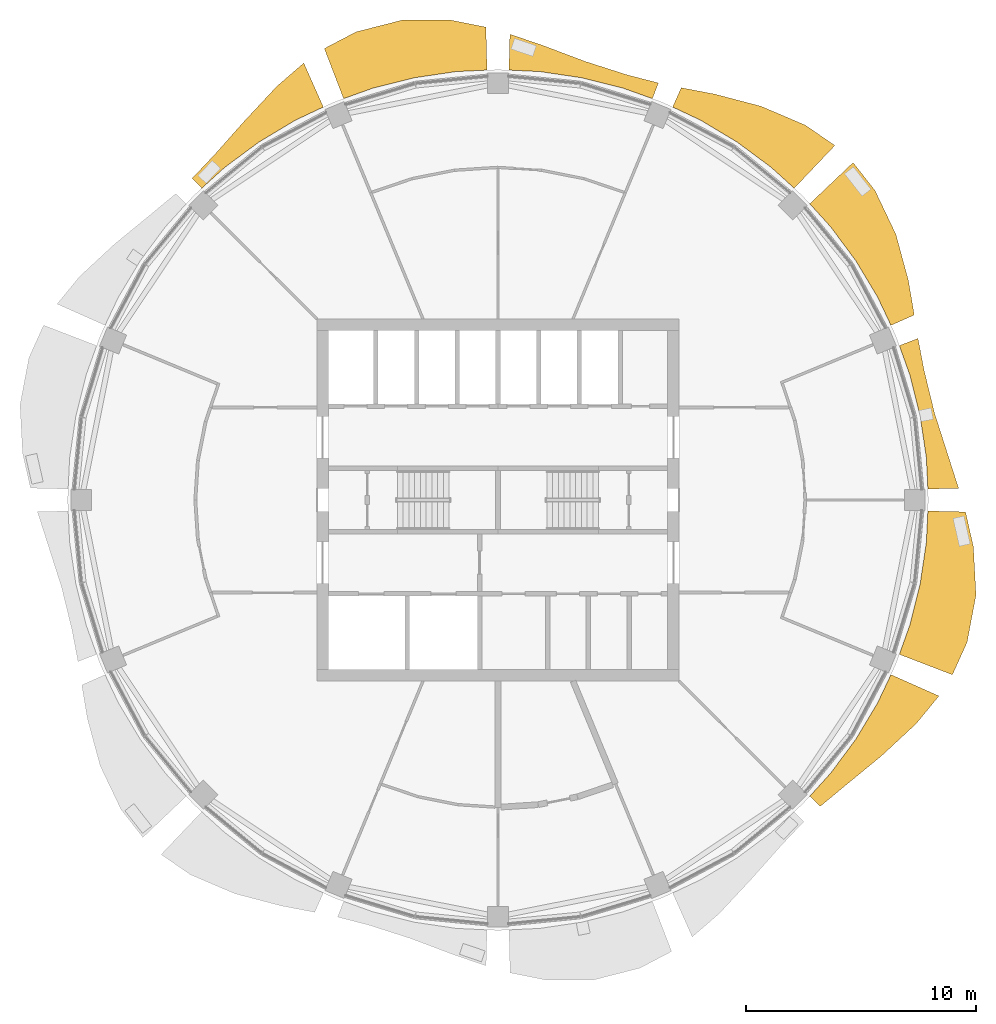
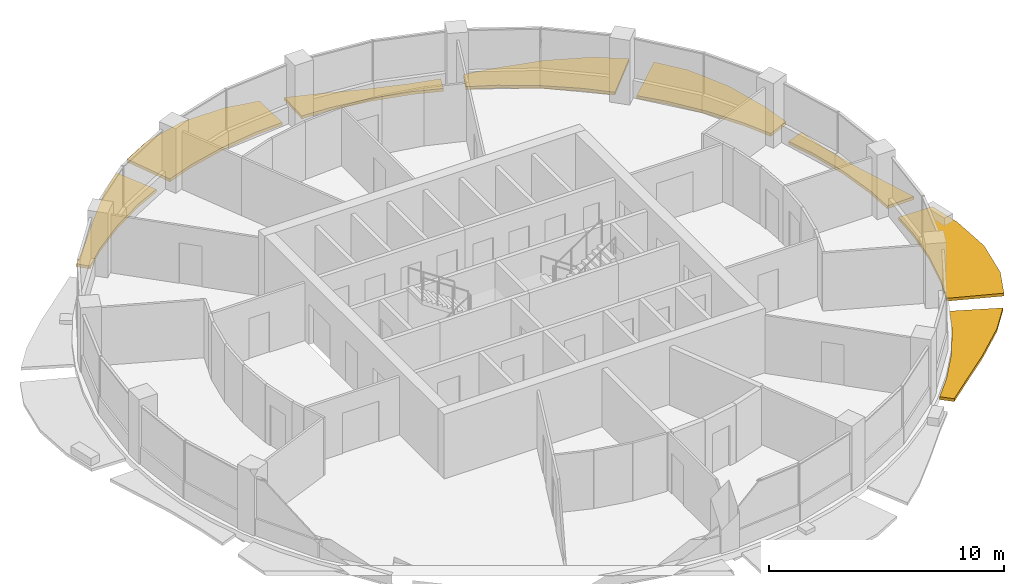
# One storey, part 14 of 15: 8 shading devices.
"""IFC4 building model written with IfcOpenShell, lengths in metres."""

from ifc_helpers import new_model, si_unit, direction, frame, origin, place, context, subcontext, project, spatial, polyline, outline, extrude, material, type_object, element, save


model = new_model("IFC4")

# Units and contexts
model_context = context("Model", 3, precision=1e-05, world=origin(), true_north=direction((0.0, 1.0)))
body_context = subcontext(model_context, "Body", "Model", "MODEL_VIEW")
ifc_project = project(units=[si_unit("LENGTHUNIT", "METRE"), si_unit("AREAUNIT", "SQUARE_METRE"), si_unit("VOLUMEUNIT", "CUBIC_METRE"), si_unit("PLANEANGLEUNIT", "RADIAN"), si_unit("MASSUNIT", "GRAM", prefix="KILO")], contexts=[model_context])

# Site, building, storey
site_placement = place(None, origin())
site = spatial("IfcSite", under=ifc_project, at=site_placement, CompositionType="ELEMENT")
building_placement = place(site_placement, origin())
building = spatial("IfcBuilding", under=site, at=building_placement, Name="Polderwave Tower", CompositionType="ELEMENT")
storey_placement = place(building_placement, frame((0.0, 0.0, 167.550048828125)))
storey = spatial("IfcBuildingStorey", under=building, at=storey_placement, Name="L44", CompositionType="ELEMENT", Elevation=167.550048828125)

# Shading devices
ifc_material = material(Name="Terracotta", Category="masonry")
shading_device_type = type_object("IfcShadingDeviceType", Name="Terracotta sunshade band", PredefinedType="USERDEFINED", material=ifc_material)
shading_device_1_placement = place(storey_placement, frame((0.0, 0.0, -0.35009765625)))
element("IfcShadingDevice", 1, at=shading_device_1_placement, inside=storey, type_object=shading_device_type, Name="Sunshade band L44 1", ObjectType="SUNSHADE", PredefinedType="USERDEFINED", context=body_context, shape_type="SweptSolid", body=[
    extrude(outline(polyline([(18.676513671875, 0.476318359375), (18.610107421875, 1.8330078125), (18.3408203125, 3.648193359375), (17.894775390625, 5.42822265625), (17.437255859375, 6.707275390625), (18.246826171875, 7.018798828125), (18.515380859375, 5.61669921875), (18.96630859375, 3.772705078125), (19.556884765625, 1.92626953125), (20.010009765625, 0.51025390625), (18.676513671875, 0.476318359375)])), origin(), (0.0, 0.0, 1.0), 0.150146484375),
])
shading_device_2_placement = place(storey_placement, frame((0.0, 0.0, -0.35009765625)))
element("IfcShadingDevice", 2, at=shading_device_2_placement, inside=storey, type_object=shading_device_type, Name="Sunshade band L44 2", ObjectType="SUNSHADE", PredefinedType="USERDEFINED", context=body_context, shape_type="SweptSolid", body=[
    extrude(outline(polyline([(17.07275390625, 7.587158203125), (16.491943359375, 8.815185546875), (15.548583984375, 10.38916015625), (14.455322265625, 11.86328125), (13.543212890625, 12.86962890625), (15.42724609375, 14.66015625), (16.38037109375, 13.443115234375), (17.2841796875, 11.548828125), (17.83251953125, 9.53173828125), (18.083984375, 8.03662109375), (17.07275390625, 7.587158203125)])), origin(), (0.0, 0.0, 1.0), 0.150146484375),
])
shading_device_3_placement = place(storey_placement, frame((0.0, 0.0, -0.35009765625)))
element("IfcShadingDevice", 3, at=shading_device_3_placement, inside=storey, type_object=shading_device_type, Name="Sunshade band L44 3", ObjectType="SUNSHADE", PredefinedType="USERDEFINED", context=body_context, shape_type="SweptSolid", body=[
    extrude(outline(polyline([(12.86962890625, 13.543212890625), (11.86328125, 14.455322265625), (10.38916015625, 15.548583984375), (8.815185546875, 16.491943359375), (7.587158203125, 17.07275390625), (7.96044921875, 17.91259765625), (9.42431640625, 17.631591796875), (11.4296875, 17.105712890625), (13.361083984375, 16.280517578125), (14.6357421875, 15.401611328125), (12.86962890625, 13.543212890625)])), origin(), (0.0, 0.0, 1.0), 0.150146484375),
])
shading_device_4_placement = place(storey_placement, frame((0.0, 0.0, -0.35009765625)))
element("IfcShadingDevice", 4, at=shading_device_4_placement, inside=storey, type_object=shading_device_type, Name="Sunshade band L44 4", ObjectType="SUNSHADE", PredefinedType="USERDEFINED", context=body_context, shape_type="SweptSolid", body=[
    extrude(outline(polyline([(6.707275390625, 17.437255859375), (5.42822265625, 17.894775390625), (3.648193359375, 18.3408203125), (1.8330078125, 18.610107421875), (0.476318359375, 18.676513671875), (0.51611328125, 20.239501953125), (1.945068359375, 19.749267578125), (3.7900390625, 19.053466796875), (5.603515625, 18.471923828125), (6.969482421875, 18.11865234375), (6.707275390625, 17.437255859375)])), origin(), (0.0, 0.0, 1.0), 0.150146484375),
])
shading_device_5_placement = place(storey_placement, frame((0.0, 0.0, -0.35009765625)))
element("IfcShadingDevice", 5, at=shading_device_5_placement, inside=storey, type_object=shading_device_type, Name="Sunshade band L44 5", ObjectType="SUNSHADE", PredefinedType="USERDEFINED", context=body_context, shape_type="SweptSolid", body=[
    extrude(outline(polyline([(-0.476318359375, 18.676513671875), (-1.8330078125, 18.610107421875), (-3.648193359375, 18.3408203125), (-5.42822265625, 17.894775390625), (-6.707275390625, 17.437255859375), (-7.544677734375, 19.614013671875), (-6.1689453125, 20.33642578125), (-4.14794921875, 20.853515625), (-2.05322265625, 20.847412109375), (-0.523681640625, 20.5419921875), (-0.476318359375, 18.676513671875)])), origin(), (0.0, 0.0, 1.0), 0.150146484375),
])
shading_device_6_placement = place(storey_placement, frame((0.0, 0.0, -0.35009765625)))
element("IfcShadingDevice", 6, at=shading_device_6_placement, inside=storey, type_object=shading_device_type, Name="Sunshade band L44 6", ObjectType="SUNSHADE", PredefinedType="USERDEFINED", context=body_context, shape_type="SweptSolid", body=[
    extrude(outline(polyline([(-7.587158203125, 17.07275390625), (-8.815185546875, 16.491943359375), (-10.38916015625, 15.548583984375), (-11.86328125, 14.455322265625), (-12.86962890625, 13.543212890625), (-13.283447265625, 13.978515625), (-12.313232421875, 15.00390625), (-11.00732421875, 16.4736328125), (-9.60693359375, 17.973388671875), (-8.437255859375, 18.985595703125), (-7.587158203125, 17.07275390625)])), origin(), (0.0, 0.0, 1.0), 0.150146484375),
])
shading_device_7_placement = place(storey_placement, frame((0.0, 0.0, -0.35009765625)))
element("IfcShadingDevice", 7, at=shading_device_7_placement, inside=storey, type_object=shading_device_type, Name="Sunshade band L44 15", ObjectType="SUNSHADE", PredefinedType="USERDEFINED", context=body_context, shape_type="SweptSolid", body=[
    extrude(outline(polyline([(13.543212890625, -12.86962890625), (14.455322265625, -11.86328125), (15.548583984375, -10.38916015625), (16.491943359375, -8.815185546875), (17.07275390625, -7.587158203125), (19.156982421875, -8.513427734375), (18.17431640625, -9.71435546875), (16.652099609375, -11.12646484375), (15.103515625, -12.395263671875), (14.004150390625, -13.307861328125), (13.543212890625, -12.86962890625)])), origin(), (0.0, 0.0, 1.0), 0.150146484375),
])
shading_device_8_placement = place(storey_placement, frame((0.0, 0.0, -0.35009765625)))
element("IfcShadingDevice", 8, at=shading_device_8_placement, inside=storey, type_object=shading_device_type, Name="Sunshade band L44 16", ObjectType="SUNSHADE", PredefinedType="USERDEFINED", context=body_context, shape_type="SweptSolid", body=[
    extrude(outline(polyline([(17.437255859375, -6.707275390625), (17.894775390625, -5.42822265625), (18.3408203125, -3.648193359375), (18.610107421875, -1.8330078125), (18.676513671875, -0.476318359375), (20.3125, -0.517822265625), (20.6552734375, -2.034423828125), (20.766357421875, -4.130615234375), (20.3798828125, -6.18212890625), (19.7421875, -7.593994140625), (17.437255859375, -6.707275390625)])), origin(), (0.0, 0.0, 1.0), 0.150146484375),
])

save(model, "model.ifc")
